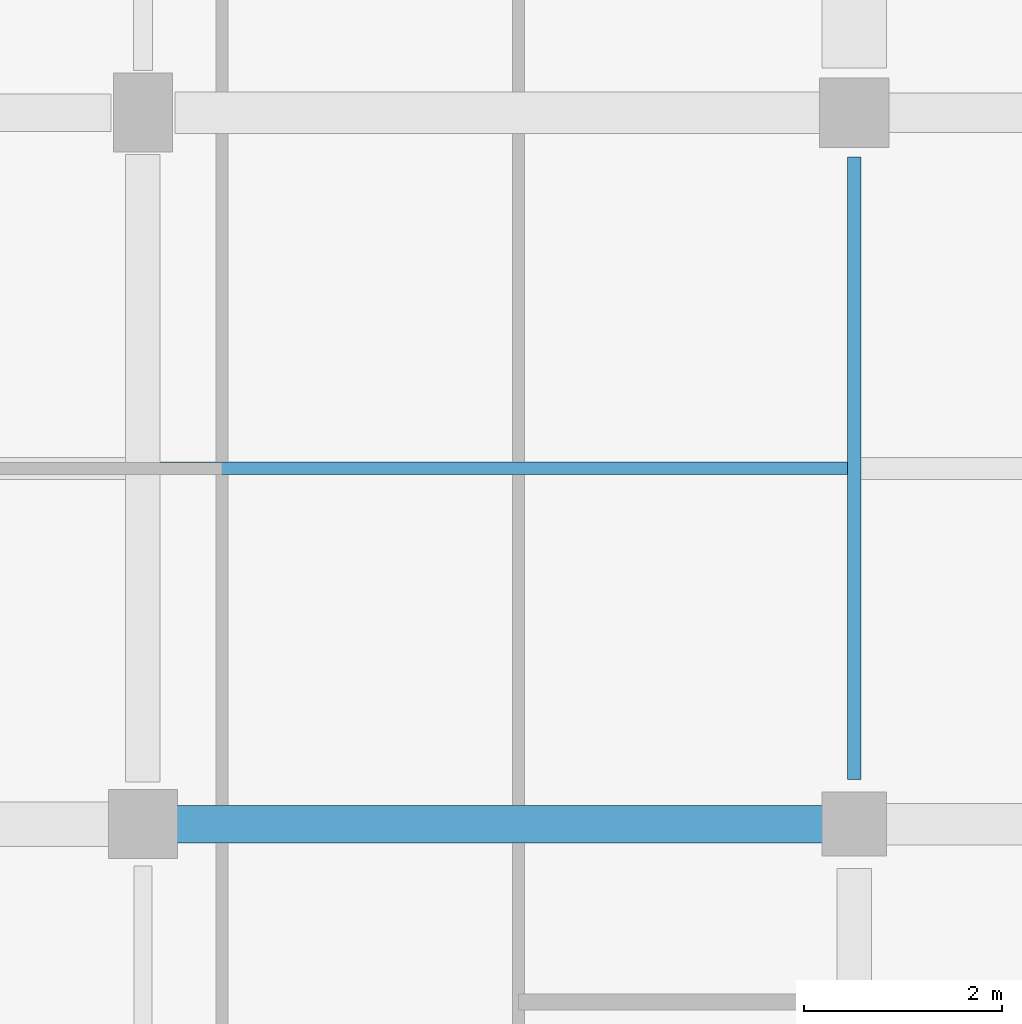
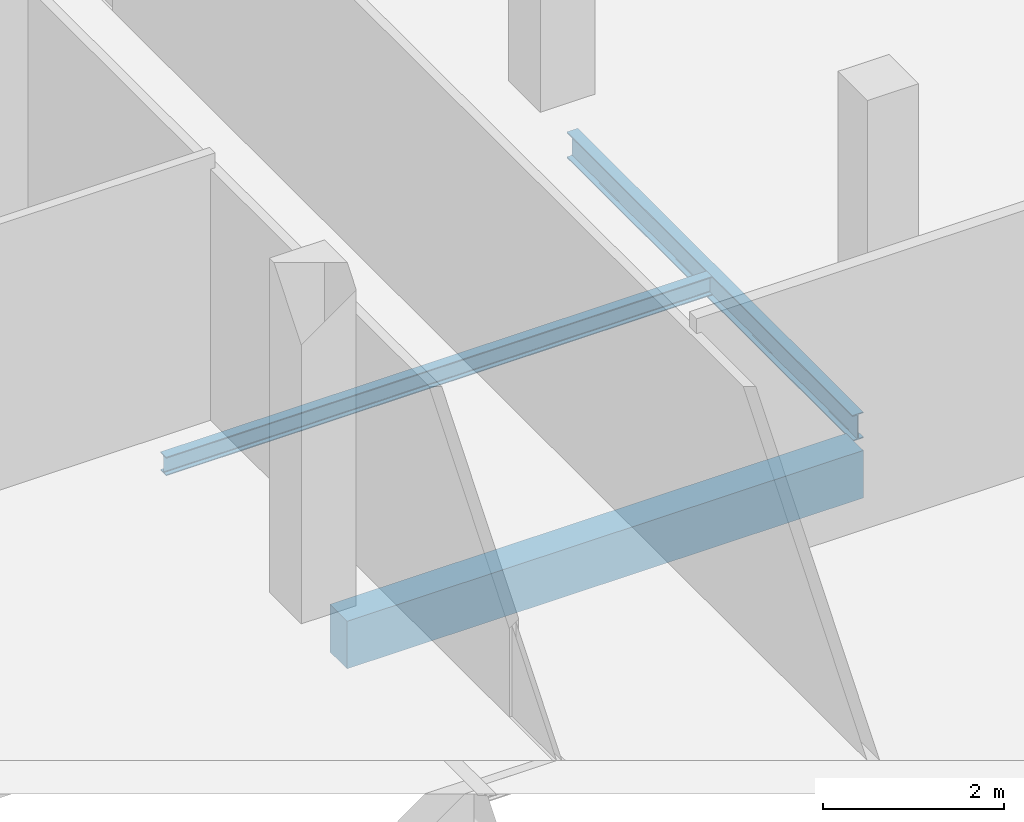
# One storey, part 56 of 124: 3 beams.
"""IFC4 building model written with IfcOpenShell, lengths in metres."""

from ifc_helpers import new_model, si_unit, direction, frame, origin, origin_2d, place, context, subcontext, project, spatial, rectangle, i_section, extrude, material, material_profile, profile_set, type_object, element, save


model = new_model("IFC4")

# Units and contexts
model_context = context("Model", 3, precision=1e-05, world=origin(), true_north=direction((0.0, 1.0)))
body_context = subcontext(model_context, "Body", "Model", "MODEL_VIEW")
ifc_project = project(units=[si_unit("LENGTHUNIT", "METRE"), si_unit("AREAUNIT", "SQUARE_METRE"), si_unit("VOLUMEUNIT", "CUBIC_METRE"), si_unit("PLANEANGLEUNIT", "RADIAN"), si_unit("MASSUNIT", "GRAM", prefix="KILO")], contexts=[model_context])

# Site, building, storey
site_placement = place(None, origin())
site = spatial("IfcSite", under=ifc_project, at=site_placement, CompositionType="ELEMENT")
building_placement = place(site_placement, origin())
building = spatial("IfcBuilding", under=site, at=building_placement, Name="Kalluvel Institute of Natural Sciences", CompositionType="ELEMENT")
storey_placement = place(building_placement, frame((0.0, 0.0, 9.89990234375)))
storey = spatial("IfcBuildingStorey", under=building, at=storey_placement, Name="L02", CompositionType="ELEMENT", Elevation=9.89990234375)

# Beams
ifc_material_1 = material(Name="Steel E350 Grade 350", Category="steel")
ifc_material_profile_1 = material_profile(ifc_material_1, i_section(OverallWidth=0.139892578125, OverallDepth=0.35009765625, WebThickness=0.008056640625, FlangeThickness=0.01416015625, FilletRadius=0.013916015625, at=origin_2d()), Name="ISMB 350")
ifc_profile_set_1 = profile_set([ifc_material_profile_1], Name="Steel E350 Grade 350")
beam_type_1 = type_object("IfcBeamType", Name="BM-ISMB350", PredefinedType="BEAM", material=ifc_profile_set_1)
beam_1_placement = place(storey_placement, frame((28.39990234375, 79.25, -0.474853515625), z_axis=(0.0, 1.0, 0.0), x_axis=(-1.0, 0.0, 0.0)))
element("IfcBeam", 1, at=beam_1_placement, inside=storey, type_object=beam_type_1, Name="L02 girder GIR-L02-NS-X284-Y788", PredefinedType="BEAM", context=body_context, shape_type="SweptSolid", body=[
    extrude(i_section(OverallWidth=0.139892578125, OverallDepth=0.35009765625, WebThickness=0.008056640625, FlangeThickness=0.01416015625, FilletRadius=0.013916015625, at=origin_2d()), origin(), (0.0, 0.0, 1.0), 6.300048828125),
])
ifc_material_2 = material(Name="Concrete M40", Category="concrete")
ifc_material_profile_2 = material_profile(ifc_material_2, rectangle(XDim=0.3798828125, YDim=0.639892578125, at=origin_2d()), Name="RCB 380x640")
ifc_profile_set_2 = profile_set([ifc_material_profile_2], Name="Concrete M40")
beam_type_2 = type_object("IfcBeamType", Name="BM-RC380x640", PredefinedType="BEAM", material=ifc_profile_set_2)
beam_2_placement = place(storey_placement, frame((21.52490234375, 78.800048828125, -0.619873046875), z_axis=(1.0, 0.0, 0.0), x_axis=(0.0, 1.0, 0.0)))
element("IfcBeam", 2, at=beam_2_placement, inside=storey, type_object=beam_type_2, Name="L02 girder GIR-L02-EW-X212-Y788", PredefinedType="BEAM", context=body_context, shape_type="SweptSolid", body=[
    extrude(rectangle(XDim=0.3798828125, YDim=0.639892578125, at=origin_2d()), origin(), (0.0, 0.0, 1.0), 6.5751953125),
])
ifc_material_profile_3 = material_profile(ifc_material_1, i_section(OverallWidth=0.125, OverallDepth=0.25, WebThickness=0.0068359375, FlangeThickness=0.012451171875, FilletRadius=0.012939453125, at=origin_2d()), Name="ISMB 250")
ifc_profile_set_3 = profile_set([ifc_material_profile_3], Name="Steel E350 Grade 350")
beam_type_3 = type_object("IfcBeamType", Name="WJ-ISMB250", PredefinedType="JOIST", material=ifc_profile_set_3)
beam_3_placement = place(storey_placement, frame((21.375, 82.39990234375, -0.4248046875), z_axis=(1.0, 0.0, 0.0), x_axis=(0.0, 1.0, 0.0)))
element("IfcBeam", 3, at=beam_3_placement, inside=storey, type_object=beam_type_3, Name="L02 floor rib RIB-L02-0678", PredefinedType="JOIST", context=body_context, shape_type="SweptSolid", body=[
    extrude(i_section(OverallWidth=0.125, OverallDepth=0.25, WebThickness=0.0068359375, FlangeThickness=0.012451171875, FilletRadius=0.012939453125, at=origin_2d()), origin(), (0.0, 0.0, 1.0), 6.955078125),
])

save(model, "model.ifc")
